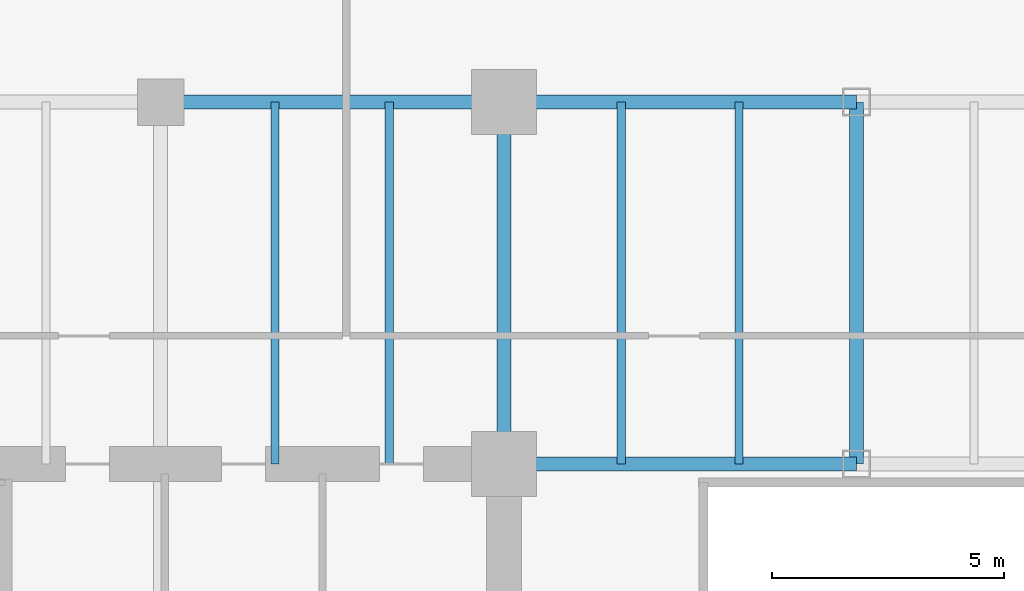
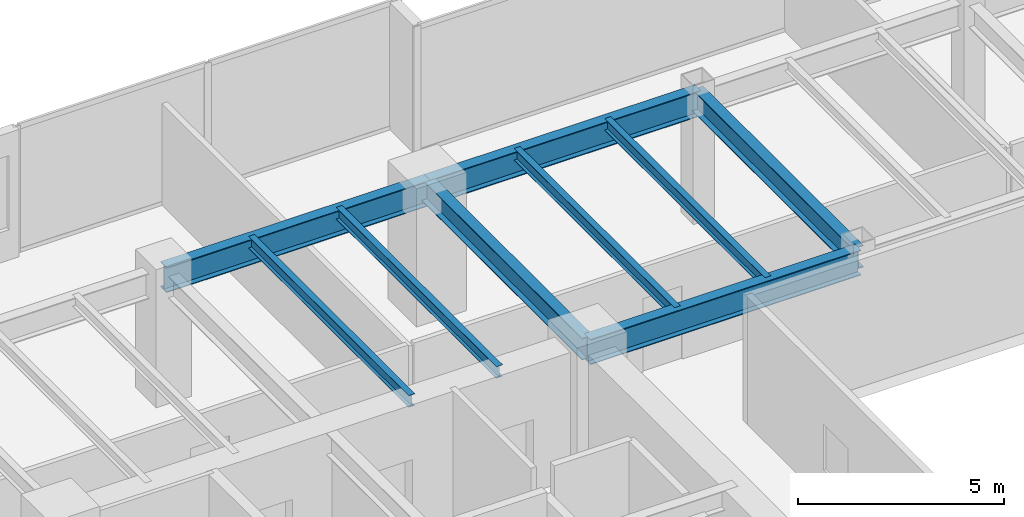
# One storey, part 14 of 31: 9 beams.
"""IFC4 building model written with IfcOpenShell, lengths in metres."""

from ifc_helpers import new_model, si_unit, direction, frame, origin, origin_2d, place, context, subcontext, project, spatial, i_section, extrude, source, transform, mapped, material, material_profile, profile_set, type_object, type_shapes, element, save


model = new_model("IFC4")

# Units and contexts
model_context = context("Model", 3, precision=1e-05, world=origin(), true_north=direction((0.0, 1.0)))
body_context = subcontext(model_context, "Body", "Model", "MODEL_VIEW")
ifc_project = project(units=[si_unit("LENGTHUNIT", "METRE"), si_unit("AREAUNIT", "SQUARE_METRE"), si_unit("VOLUMEUNIT", "CUBIC_METRE"), si_unit("PLANEANGLEUNIT", "RADIAN"), si_unit("MASSUNIT", "GRAM", prefix="KILO")], contexts=[model_context])

# Site, building, storey
site_placement = place(None, origin())
site = spatial("IfcSite", under=ifc_project, at=site_placement, CompositionType="ELEMENT")
building_placement = place(site_placement, origin())
building = spatial("IfcBuilding", under=site, at=building_placement, Name="Haelvirn Gate Laboratories", CompositionType="ELEMENT")
storey_placement = place(building_placement, frame((0.0, 0.0, 62.10009765625)))
storey = spatial("IfcBuildingStorey", under=building, at=storey_placement, Name="L15", CompositionType="ELEMENT", Elevation=62.10009765625)

# Beams
ifc_material = material(Name="Steel SM355", Category="steel")
ifc_material_profile_1 = material_profile(ifc_material, i_section(OverallWidth=0.300048828125, OverallDepth=0.75, WebThickness=0.013916015625, FlangeThickness=0.02392578125, at=origin_2d()), Name="H-750x300x14x24")
ifc_profile_set_1 = profile_set([ifc_material_profile_1], Name="Steel SM355")
beam_type_1 = type_object("IfcBeamType", Name="BM-G-750", PredefinedType="BEAM", material=ifc_profile_set_1)
shared_shape_1 = source(origin(), body_context, "Body", "SweptSolid", [
    extrude(i_section(OverallWidth=0.300048828125, OverallDepth=0.75, WebThickness=0.013916015625, FlangeThickness=0.02392578125, at=origin_2d()), origin(), (0.0, 0.0, 1.0), 7.39990234375),
])
beam_placement = place(storey_placement, frame((14.800048828125, 41.60009765625, 3.40478515625), z_axis=(1.0, 0.0, 0.0), x_axis=(0.0, 1.0, 0.0)))
element("IfcBeam", 1, at=beam_placement, inside=storey, type_object=beam_type_1, Name="L15 Primary Girder Y41.6 (14.8-22.2)", PredefinedType="BEAM", context=body_context, shape_type="MappedRepresentation", body=[
    mapped(shared_shape_1, transform((0.0, 0.0, 0.0), scale=1.0)),
])
shared_shape_2 = source(origin(), body_context, "Body", "SweptSolid", [
    extrude(i_section(OverallWidth=0.300048828125, OverallDepth=0.75, WebThickness=0.013916015625, FlangeThickness=0.02392578125, at=origin_2d()), origin(), (0.0, 0.0, 1.0), 7.60009765625),
])
type_shapes(beam_type_1, [shared_shape_1, shared_shape_2])
for number, where, z_axis, x_axis, name in (
    (2, (22.199951171875, 33.800048828125, 3.40478515625), (1.0, 0.0, 0.0), (0.0, 1.0, 0.0), "L15 Primary Girder Y33.8 (22.2-29.8)"),
    (3, (22.199951171875, 41.60009765625, 3.40478515625), (1.0, 0.0, 0.0), (0.0, 1.0, 0.0), "L15 Primary Girder Y41.6 (22.2-29.8)"),
):
    element("IfcBeam", number, at=place(storey_placement, frame(where, z_axis=z_axis, x_axis=x_axis)), inside=storey, type_object=beam_type_1, Name=name, PredefinedType="BEAM", context=body_context, shape_type="MappedRepresentation", body=[
        mapped(shared_shape_2, transform((0.0, 0.0, 0.0), scale=1.0)),
    ])
ifc_material_profile_2 = material_profile(ifc_material, i_section(OverallWidth=0.175048828125, OverallDepth=0.35009765625, WebThickness=0.007080078125, FlangeThickness=0.010986328125, at=origin_2d()), Name="H-350x175x7x11")
ifc_profile_set_2 = profile_set([ifc_material_profile_2], Name="Steel SM355")
beam_type_2 = type_object("IfcBeamType", Name="BM-J-350", PredefinedType="JOIST", material=ifc_profile_set_2)
shared_shape_3 = source(origin(), body_context, "Body", "SweptSolid", [
    extrude(i_section(OverallWidth=0.175048828125, OverallDepth=0.35009765625, WebThickness=0.007080078125, FlangeThickness=0.010986328125, at=origin_2d()), origin(), (0.0, 0.0, 1.0), 7.800048828125),
])
type_shapes(beam_type_2, [shared_shape_3])
for number, where, z_axis, x_axis, name in (
    (4, (17.27001953125, 33.800048828125, 3.60498046875), (0.0, 1.0, 0.0), (-1.0, 0.0, 0.0), "L15 Composite Lab Joist North X17.27"),
    (5, (19.72998046875, 33.800048828125, 3.60498046875), (0.0, 1.0, 0.0), (-1.0, 0.0, 0.0), "L15 Composite Lab Joist North X19.73"),
    (6, (24.72998046875, 33.800048828125, 3.60498046875), (0.0, 1.0, 0.0), (-1.0, 0.0, 0.0), "L15 Composite Lab Joist North X24.73"),
    (7, (27.27001953125, 33.800048828125, 3.60498046875), (0.0, 1.0, 0.0), (-1.0, 0.0, 0.0), "L15 Composite Lab Joist North X27.27"),
):
    element("IfcBeam", number, at=place(storey_placement, frame(where, z_axis=z_axis, x_axis=x_axis)), inside=storey, type_object=beam_type_2, Name=name, PredefinedType="JOIST", context=body_context, shape_type="MappedRepresentation", body=[
        mapped(shared_shape_3, transform((0.0, 0.0, 0.0), scale=1.0)),
    ])
ifc_material_profile_3 = material_profile(ifc_material, i_section(OverallWidth=0.300048828125, OverallDepth=0.64990234375, WebThickness=0.012939453125, FlangeThickness=0.02197265625, at=origin_2d()), Name="H-650x300x13x22")
ifc_profile_set_3 = profile_set([ifc_material_profile_3], Name="Steel SM355")
beam_type_3 = type_object("IfcBeamType", Name="BM-G-650", PredefinedType="BEAM", material=ifc_profile_set_3)
shared_shape_4 = source(origin(), body_context, "Body", "SweptSolid", [
    extrude(i_section(OverallWidth=0.300048828125, OverallDepth=0.64990234375, WebThickness=0.012939453125, FlangeThickness=0.02197265625, at=origin_2d()), origin(), (0.0, 0.0, 1.0), 7.800048828125),
])
type_shapes(beam_type_3, [shared_shape_4])
for number, where, z_axis, x_axis, name in (
    (8, (22.199951171875, 33.800048828125, 3.454833984375), (0.0, 1.0, 0.0), (-1.0, 0.0, 0.0), "L15 Frame Girder X22.2 (33.8-41.6)"),
    (9, (29.800048828125, 33.800048828125, 3.454833984375), (0.0, 1.0, 0.0), (-1.0, 0.0, 0.0), "L15 Frame Girder X29.8 (33.8-41.6)"),
):
    element("IfcBeam", number, at=place(storey_placement, frame(where, z_axis=z_axis, x_axis=x_axis)), inside=storey, type_object=beam_type_3, Name=name, PredefinedType="BEAM", context=body_context, shape_type="MappedRepresentation", body=[
        mapped(shared_shape_4, transform((0.0, 0.0, 0.0), scale=1.0)),
    ])

save(model, "model.ifc")
